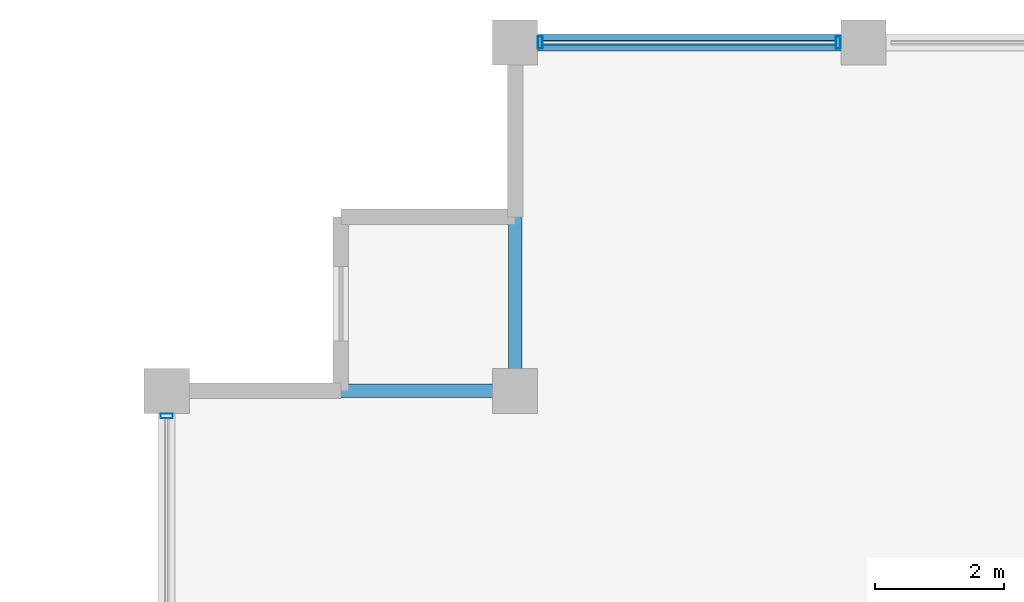
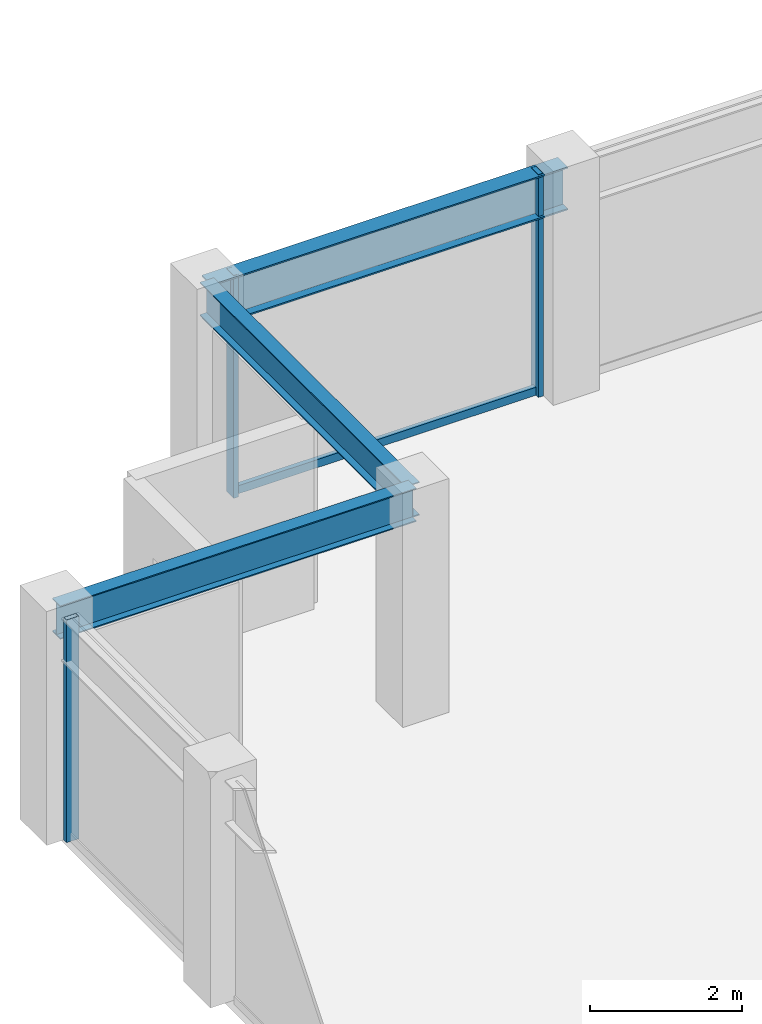
# One storey, part 14 of 31: 4 members, 3 beams, 2 elements without a shape of their own.
"""IFC4 building model written with IfcOpenShell, lengths in metres."""

from ifc_helpers import new_model, si_unit, direction, frame, origin, origin_2d, place, context, subcontext, project, spatial, hollow_rectangle, i_section, extrude, material, layer, layer_set, material_profile, profile_set, type_object, element, aggregate, save


model = new_model("IFC4")

# Units and contexts
model_context = context("Model", 3, precision=1e-05, world=origin(), true_north=direction((0.0, 1.0)))
body_context = subcontext(model_context, "Body", "Model", "MODEL_VIEW")
ifc_project = project(units=[si_unit("LENGTHUNIT", "METRE"), si_unit("AREAUNIT", "SQUARE_METRE"), si_unit("VOLUMEUNIT", "CUBIC_METRE"), si_unit("PLANEANGLEUNIT", "RADIAN"), si_unit("MASSUNIT", "GRAM", prefix="KILO")], contexts=[model_context])

# Site, building, storey
site_placement = place(None, origin())
site = spatial("IfcSite", under=ifc_project, at=site_placement, CompositionType="ELEMENT")
building_placement = place(site_placement, origin())
building = spatial("IfcBuilding", under=site, at=building_placement, Name="Surkhivell Harbour Commons", CompositionType="ELEMENT")
storey_placement = place(building_placement, frame((0.0, 0.0, 270.0)))
storey = spatial("IfcBuildingStorey", under=building, at=storey_placement, Name="L70", CompositionType="ELEMENT", Elevation=270.0)

# Beams
ifc_material_1 = material(Name="Steel S355", Category="steel")
ifc_material_profile_1 = material_profile(ifc_material_1, i_section(OverallWidth=0.2099609375, OverallDepth=0.537109375, WebThickness=0.0107421875, FlangeThickness=0.017333984375, at=origin_2d()), Name="UB533x210x101")
ifc_profile_set_1 = profile_set([ifc_material_profile_1], Name="Steel S355")
beam_type_1 = type_object("IfcBeamType", Name="BM-GRD-533B", PredefinedType="BEAM", material=ifc_profile_set_1)
for number, where, z_axis, x_axis, name in (
    (1, (-27.0, 20.5, 3.301513671875), (1.0, 0.0, 0.0), (0.0, 1.0, 0.0), "L70 Floor Girder (-27.0,20.5)"),
    (2, (-21.60009765625, 20.5, 3.301513671875), (0.0, 1.0, 0.0), (-1.0, 0.0, 0.0), "L70 Floor Girder (-21.6,20.5)"),
):
    element("IfcBeam", number, at=place(storey_placement, frame(where, z_axis=z_axis, x_axis=x_axis)), inside=storey, type_object=beam_type_1, Name=name, PredefinedType="BEAM", context=body_context, shape_type="SweptSolid", body=[
        extrude(i_section(OverallWidth=0.2099609375, OverallDepth=0.537109375, WebThickness=0.0107421875, FlangeThickness=0.017333984375, at=origin_2d()), origin(), (0.0, 0.0, 1.0), 5.39990234375),
    ])
ifc_material_profile_2 = material_profile(ifc_material_1, i_section(OverallWidth=0.256103515625, OverallDepth=0.693115234375, WebThickness=0.014404296875, FlangeThickness=0.023681640625, at=origin_2d()), Name="UB686x254x170")
ifc_profile_set_2 = profile_set([ifc_material_profile_2], Name="Steel S355")
beam_type_2 = type_object("IfcBeamType", Name="BM-SPN-686", PredefinedType="SPANDREL", material=ifc_profile_set_2)
beam_placement = place(storey_placement, frame((-21.60009765625, 25.89990234375, 3.223388671875), z_axis=(1.0, 0.0, 0.0), x_axis=(0.0, 1.0, 0.0)))
element("IfcBeam", 3, at=beam_placement, inside=storey, type_object=beam_type_2, Name="L70 Tube Spandrel (-21.6,25.9)", PredefinedType="SPANDREL", context=body_context, shape_type="SweptSolid", body=[
    extrude(i_section(OverallWidth=0.256103515625, OverallDepth=0.693115234375, WebThickness=0.014404296875, FlangeThickness=0.023681640625, at=origin_2d()), origin(), (0.0, 0.0, 1.0), 5.400146484375),
])

# Curtain wall, members
ifc_material_2 = material(Name="Anodised pale-metal aluminium and insulated glazing", Category="aluminium")
ifc_layer = layer(ifc_material_2, 0.175048828125)
ifc_layer_set = layer_set([ifc_layer], Name="Anodised pale-metal aluminium and insulated glazing")
curtain_wall_type = type_object("IfcCurtainWallType", Name="CW-SYS-Z4", PredefinedType="NOTDEFINED", material=ifc_layer_set)
curtain_wall_1_placement = place(storey_placement, origin())
curtain_wall_1 = element("IfcCurtainWall", 4, at=curtain_wall_1_placement, inside=storey, type_object=curtain_wall_type, Name="L70 Curtain Wall CW-L70-E07S2", PredefinedType="NOTDEFINED")
ifc_material_3 = material(Name="Anodised pale-metal aluminium alloy 6063-T6", Category="aluminium")
ifc_material_profile_3 = material_profile(ifc_material_3, hollow_rectangle(XDim=0.074951171875, YDim=0.18994140625, WallThickness=0.00390625, at=origin_2d()), Name="ALU-MULL-75x190")
ifc_profile_set_3 = profile_set([ifc_material_profile_3], Name="Anodised pale-metal aluminium alloy 6063-T6")
member_type_1 = type_object("IfcMemberType", Name="CWM-190", PredefinedType="MULLION", material=ifc_profile_set_3)
member_1_placement = place(storey_placement, frame((-16.589599609375, 25.89990234375, 0.0), z_axis=(0.0, 0.0, 1.0), x_axis=(-1.0, 0.0, 0.0)))
member_1 = element("IfcMember", 5, at=member_1_placement, type_object=member_type_1, Name="CW-Z4 mullion 3", PredefinedType="MULLION", context=body_context, shape_type="SweptSolid", body=[
    extrude(hollow_rectangle(XDim=0.074951171875, YDim=0.18994140625, WallThickness=0.00390625, at=origin_2d()), origin(), (0.0, 0.0, 1.0), 3.570068359375),
])
member_2_placement = place(storey_placement, frame((-21.21044921875, 25.89990234375, 0.0), z_axis=(0.0, 0.0, 1.0), x_axis=(-1.0, 0.0, 0.0)))
member_2 = element("IfcMember", 6, at=member_2_placement, type_object=member_type_1, Name="CW-Z4 mullion 4", PredefinedType="MULLION", context=body_context, shape_type="SweptSolid", body=[
    extrude(hollow_rectangle(XDim=0.074951171875, YDim=0.18994140625, WallThickness=0.00390625, at=origin_2d()), origin(), (0.0, 0.0, 1.0), 3.570068359375),
])

# Curtain wall, member
curtain_wall_2_placement = place(storey_placement, origin())
curtain_wall_2 = element("IfcCurtainWall", 7, at=curtain_wall_2_placement, inside=storey, type_object=curtain_wall_type, Name="L70 Curtain Wall CW-L70-E12R2", PredefinedType="NOTDEFINED")
member_3_placement = place(storey_placement, frame((-27.0, 20.110595703125, 0.0), z_axis=(0.0, 0.0, 1.0), x_axis=(0.0, 1.0, 0.0)))
member_3 = element("IfcMember", 8, at=member_3_placement, type_object=member_type_1, Name="CW-Z4 mullion 4", PredefinedType="MULLION", context=body_context, shape_type="SweptSolid", body=[
    extrude(hollow_rectangle(XDim=0.074951171875, YDim=0.18994140625, WallThickness=0.00390625, at=origin_2d()), origin(), (0.0, 0.0, 1.0), 3.570068359375),
])
aggregate(curtain_wall_2, [member_3])

# Member
ifc_material_4 = material(Name="Champagne anodised aluminium alloy 6063-T6", Category="aluminium")
ifc_material_profile_4 = material_profile(ifc_material_4, hollow_rectangle(XDim=0.070068359375, YDim=0.1298828125, WallThickness=0.00341796875, at=origin_2d()), Name="ALU-TRAN-70x130")
ifc_profile_set_4 = profile_set([ifc_material_profile_4], Name="Champagne anodised aluminium alloy 6063-T6")
member_type_2 = type_object("IfcMemberType", Name="CWT-130", PredefinedType="USERDEFINED", material=ifc_profile_set_4)
member_4_placement = place(storey_placement, frame((-16.626953125, 25.89990234375, 0.06494140625), z_axis=(-1.0, 0.0, 0.0), x_axis=(0.0, -1.0, 0.0)))
member_4 = element("IfcMember", 9, at=member_4_placement, type_object=member_type_2, Name="CW-Z4 transom 3.1", ObjectType="TRANSOM", PredefinedType="USERDEFINED", context=body_context, shape_type="SweptSolid", body=[
    extrude(hollow_rectangle(XDim=0.070068359375, YDim=0.1298828125, WallThickness=0.00341796875, at=origin_2d()), origin(), (0.0, 0.0, 1.0), 4.546142578125),
])

aggregate(curtain_wall_1, [member_1, member_2, member_4])

save(model, "model.ifc")
